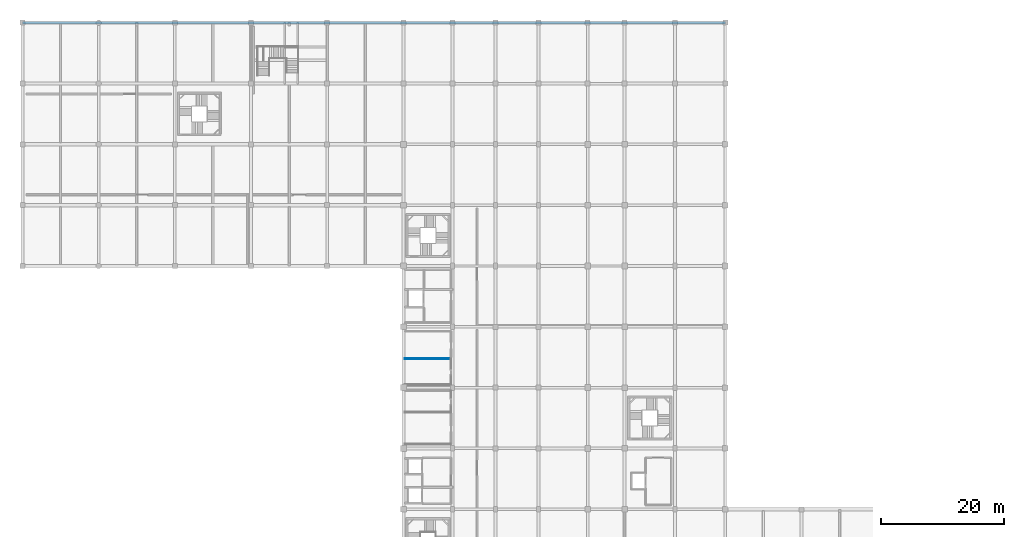
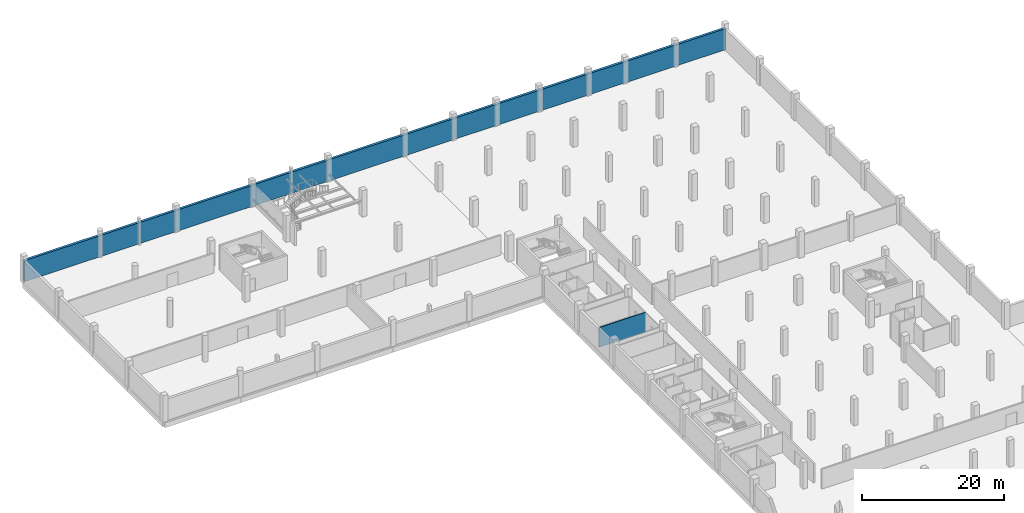
# One storey, part 13 of 32: 2 walls.
"""IFC4 building model written with IfcOpenShell, lengths in metres."""

import ifcopenshell
import ifcopenshell.guid

model = None  # the IFC model being written
_history = None  # IfcOwnerHistory: only IFC2X3 demands one
_inside = {}  # id of a spatial element -> (the spatial element, [elements in it])
_under = {}  # id of a project, library or spatial element -> (it, [spatial elements below it])
_declared = {}  # id of a project -> (the project, [libraries it declares])
_typed = {}  # id of a type object -> (the type object, [elements of that type])
_made_of = {}  # id of a material, layer set ... -> (it, [elements and type objects made of it])


def new_model(schema):
    """Start an empty IFC model of exactly this schema.

    Asked for "IFC4X3", IfcOpenShell would pick the latest addendum, in which some entities
    have other attributes; the version numbers below select the first issue.
    IFC2X3 requires an IfcOwnerHistory on every rooted entity: one is made here for all.
    """
    global model, _history
    if schema == "IFC4X3":
        model = ifcopenshell.file(schema_version=(4, 3, 0, 0))
    else:
        model = ifcopenshell.file(schema=schema)
    _inside.clear()
    _under.clear()
    _declared.clear()
    _typed.clear()
    _made_of.clear()
    _history = None
    if model.schema == "IFC2X3":
        org = make("IfcOrganization", Name="unknown")
        user = make(
            "IfcPersonAndOrganization",
            ThePerson=make("IfcPerson", FamilyName="unknown"),
            TheOrganization=org,
        )
        app = make(
            "IfcApplication",
            ApplicationDeveloper=org,
            Version="unknown",
            ApplicationFullName="unknown",
            ApplicationIdentifier="unknown",
        )
        _history = make(
            "IfcOwnerHistory",
            OwningUser=user,
            OwningApplication=app,
            ChangeAction="ADDED",
            CreationDate=0,
        )
    return model


def make(cls, **values):
    """One entity of the class cls with the attributes given. An attribute that is None is left unset."""
    return model.create_entity(
        cls, **{name: value for name, value in values.items() if value is not None}
    )


def rooted(cls, **values):
    """An entity with a GlobalId (a new one), such as an element, a storey or a relation."""
    return make(cls, GlobalId=ifcopenshell.guid.new(), OwnerHistory=_history, **values)


def si_unit(unit_type, name, prefix=None):
    """IfcSIUnit, for example si_unit("LENGTHUNIT", "METRE", prefix="MILLI")."""
    return make("IfcSIUnit", UnitType=unit_type, Prefix=prefix, Name=name)


def assignment(units):
    """IfcUnitAssignment: the units of a project."""
    return None if units is None else make("IfcUnitAssignment", Units=units)


def point(xyz):
    """IfcCartesianPoint."""
    return None if xyz is None else make("IfcCartesianPoint", Coordinates=xyz)


def direction(xyz):
    """IfcDirection."""
    return None if xyz is None else make("IfcDirection", DirectionRatios=xyz)


def frame(location, z_axis=None, x_axis=None):
    """IfcAxis2Placement3D, a coordinate frame: its origin and axes. An axis left out is left unset."""
    return make(
        "IfcAxis2Placement3D",
        Location=point(location),
        Axis=direction(z_axis),
        RefDirection=direction(x_axis),
    )


def frame_2d(location, x_axis=None):
    """IfcAxis2Placement2D, a coordinate frame in the plane: its origin and x axis."""
    return make(
        "IfcAxis2Placement2D", Location=point(location), RefDirection=direction(x_axis)
    )


def origin():
    """The frame at (0, 0, 0) with its axes left unset."""
    return frame((0.0, 0.0, 0.0))


def place(relative_to, where):
    """IfcLocalPlacement: puts the frame where relative to a parent placement (None: the world)."""
    return make(
        "IfcLocalPlacement", PlacementRelTo=relative_to, RelativePlacement=where
    )


def context(
    kind, dimensions, precision=None, world=None, true_north=None, identifier=None
):
    """IfcGeometricRepresentationContext, for example the 3D "Model" context."""
    return make(
        "IfcGeometricRepresentationContext",
        ContextIdentifier=identifier,
        ContextType=kind,
        CoordinateSpaceDimension=dimensions,
        Precision=precision,
        WorldCoordinateSystem=world,
        TrueNorth=true_north,
    )


def subcontext(parent, identifier, kind, view, scale=None):
    """IfcGeometricRepresentationSubContext, for example "Body" below "Model"."""
    return make(
        "IfcGeometricRepresentationSubContext",
        ContextIdentifier=identifier,
        ContextType=kind,
        ParentContext=parent,
        TargetScale=scale,
        TargetView=view,
    )


def project(units=None, contexts=None):
    """IfcProject with its units and contexts."""
    return rooted(
        "IfcProject",
        Name="project",
        RepresentationContexts=contexts,
        UnitsInContext=assignment(units),
    )


def spatial(cls, under=None, at=None, **own):
    """A site, building, storey or space (cls), placed at a placement, below another one or the project."""
    s = rooted(cls, ObjectPlacement=at, **own)
    if under is not None:
        _under.setdefault(under.id(), (under, []))[1].append(s)
    return s


def profile(cls, at=None, kind="AREA", **sizes):
    """A parametric profile (cls). Its sizes go by their IFC names, for example OverallWidth=200.0."""
    return make(cls, ProfileType=kind, Position=at, **sizes)


def rectangle(**sizes):
    """IfcRectangleProfileDef."""
    return profile("IfcRectangleProfileDef", **sizes)


def extrude(swept, where, along, depth):
    """IfcExtrudedAreaSolid: the profile swept, set in the frame where, extruded along a direction by depth."""
    return make(
        "IfcExtrudedAreaSolid",
        SweptArea=swept,
        Position=where,
        ExtrudedDirection=direction(along),
        Depth=depth,
    )


def shape(context_of_items, identifier, shape_type, items):
    """IfcShapeRepresentation: the items that make up one representation, for example the "Body"."""
    return make(
        "IfcShapeRepresentation",
        ContextOfItems=context_of_items,
        RepresentationIdentifier=identifier,
        RepresentationType=shape_type,
        Items=items,
    )


def material(Name=None, Category=None):
    """IfcMaterial."""
    return make("IfcMaterial", Name=Name, Category=Category)


def layer(
    of_material, thickness, ventilated=None, Name=None, Category=None, Priority=None
):
    """IfcMaterialLayer: one layer of a wall or slab, of a material (None: an air gap)."""
    return make(
        "IfcMaterialLayer",
        Material=of_material,
        LayerThickness=thickness,
        IsVentilated=ventilated,
        Name=Name,
        Category=Category,
        Priority=Priority,
    )


def layer_set(layers, Name=None):
    """IfcMaterialLayerSet."""
    return make("IfcMaterialLayerSet", MaterialLayers=layers, LayerSetName=Name)


def made_of(thing, what):
    """Note that an element or type object is made of a material, layer set ...; save() writes the relation."""
    if what is not None:
        _made_of.setdefault(what.id(), (what, []))[1].append(thing)
    return thing


def type_object(cls, material=None, **own):
    """A type object (cls), such as IfcWallType, which elements share."""
    return made_of(rooted(cls, **own), material)


def element(
    cls,
    number,
    at=None,
    inside=None,
    cuts=None,
    type_object=None,
    material=None,
    context=None,
    identifier="Body",
    shape_type=None,
    held_by="IfcProductDefinitionShape",
    body=None,
    shapes=None,
    **own,
):
    """One element of the class cls, such as IfcWall. Its Tag is "e" and its number.

    at: its placement. inside: the storey or other place that contains it. cuts: it is an
    opening in that element (IfcRelVoidsElement). A single representation is given by context,
    identifier, shape_type and body (its items); several are given by shapes. held_by: the class
    of the entity that holds the representations. save() writes the other relations.
    """
    e = rooted(cls, Tag="e%d" % number, ObjectPlacement=at, **own)
    if body is not None:
        shapes = [shape(context, identifier, shape_type, body)]
    if shapes is not None:
        e.Representation = make(held_by, Representations=shapes)
    if inside is not None:
        _inside.setdefault(inside.id(), (inside, []))[1].append(e)
    if cuts is not None:
        rooted(
            "IfcRelVoidsElement", RelatingBuildingElement=cuts, RelatedOpeningElement=e
        )
    if type_object is not None:
        _typed.setdefault(type_object.id(), (type_object, []))[1].append(e)
    return made_of(e, material)


def aggregate(whole, parts):
    """IfcRelAggregates: a whole, such as a stair, and the parts it consists of."""
    return rooted("IfcRelAggregates", RelatingObject=whole, RelatedObjects=parts)


def save(model, path):
    """Write the relations noted so far, then the file.

    IfcRelAggregates (storeys below a building ...), IfcRelContainedInSpatialStructure (elements
    in a storey), IfcRelDefinesByType, IfcRelAssociatesMaterial and IfcRelDeclares: one each for
    every whole, place, type object, material and project.
    """
    for whole, parts in _under.values():
        aggregate(whole, parts)
    for where, things in _inside.values():
        rooted(
            "IfcRelContainedInSpatialStructure",
            RelatedElements=things,
            RelatingStructure=where,
        )
    for kind, things in _typed.values():
        rooted("IfcRelDefinesByType", RelatedObjects=things, RelatingType=kind)
    for what, things in _made_of.values():
        rooted("IfcRelAssociatesMaterial", RelatedObjects=things, RelatingMaterial=what)
    for by, libraries in _declared.values():
        rooted("IfcRelDeclares", RelatingContext=by, RelatedDefinitions=libraries)
    model.write(path)


model = new_model("IFC4")

# Units and contexts
model_context = context("Model", 3, precision=1e-05, world=origin(), true_north=direction((0.0, 1.0)))
body_context = subcontext(model_context, "Body", "Model", "MODEL_VIEW")
ifc_project = project(units=[si_unit("LENGTHUNIT", "METRE"), si_unit("AREAUNIT", "SQUARE_METRE"), si_unit("VOLUMEUNIT", "CUBIC_METRE"), si_unit("PLANEANGLEUNIT", "RADIAN"), si_unit("MASSUNIT", "GRAM", prefix="KILO")], contexts=[model_context])

# Site, building, storey
site_placement = place(None, origin())
site = spatial("IfcSite", under=ifc_project, at=site_placement, CompositionType="ELEMENT")
building_placement = place(site_placement, origin())
building = spatial("IfcBuilding", under=site, at=building_placement, Name="Sillaruma Civic Art Gallery", CompositionType="ELEMENT")
storey_placement = place(building_placement, frame((0.0, 0.0, -4.590087890625)))
storey = spatial("IfcBuildingStorey", under=building, at=storey_placement, Name="B01", CompositionType="ELEMENT", Elevation=-4.590087890625)

# Walls
ifc_material_1 = material(Name="Gypsum Acoustic Board", Category="gypsum")
ifc_layer_1 = layer(ifc_material_1, 0.02490234375, Name="Finish board", Category="gypsum")
ifc_material_2 = material(Name="Mineral Wool Thermal Insulation", Category="insulation")
ifc_layer_2 = layer(ifc_material_2, 0.080078125, Name="Acoustic core", Category="insulation")
ifc_material_3 = material(Name="Andean Oak Timber", Category="wood")
ifc_layer_3 = layer(ifc_material_3, 0.02490234375, Name="Gallery lining", Category="wood")
ifc_layer_set_1 = layer_set([ifc_layer_1, ifc_layer_2, ifc_layer_3], Name="W-PT-130")
wall_type_1 = type_object("IfcWallType", Name="WAL-PART-130", PredefinedType="PARTITIONING", material=ifc_layer_set_1)
wall_1_placement = place(storey_placement, frame((62.199951171875, 64.10009765625, 0.0), z_axis=(0.0, 0.0, 1.0), x_axis=(1.0, 0.0, 0.0)))
element("IfcWall", 1, at=wall_1_placement, inside=storey, type_object=wall_type_1, Name="Interior Wall W-PT-130 (B01-CLN)", PredefinedType="PARTITIONING", context=body_context, shape_type="SweptSolid", body=[
    extrude(rectangle(XDim=7.550048828125, YDim=0.1298828125, at=frame_2d((3.77490234375, 0.0))), origin(), (0.0, 0.0, 1.0), 3.41015625),
])
ifc_material_4 = material(Name="Concrete H40 (40 MPa)", Category="concrete")
ifc_layer_4 = layer(ifc_material_4, 0.39990234375, Name="Concrete H40 (40 MPa)")
ifc_layer_set_2 = layer_set([ifc_layer_4], Name="Concrete H40 (40 MPa)")
wall_type_2 = type_object("IfcWallType", Name="WAL-RET-400", PredefinedType="USERDEFINED", material=ifc_layer_set_2)
wall_2_placement = place(storey_placement, frame((114.39990234375, 118.800048828125, 0.0), z_axis=(0.0, 0.0, 1.0), x_axis=(-1.0, 0.0, 0.0)))
element("IfcWall", 2, at=wall_2_placement, inside=storey, type_object=wall_type_2, Name="Exterior Wall W-RET-400 (RET-B01-05)", ObjectType="RETAININGWALL", PredefinedType="USERDEFINED", context=body_context, shape_type="SweptSolid", body=[
    extrude(rectangle(XDim=114.39990234375, YDim=0.39990234375, at=frame_2d((57.199951171875, 0.0))), origin(), (0.0, 0.0, 1.0), 3.64013671875),
])

save(model, "model.ifc")
